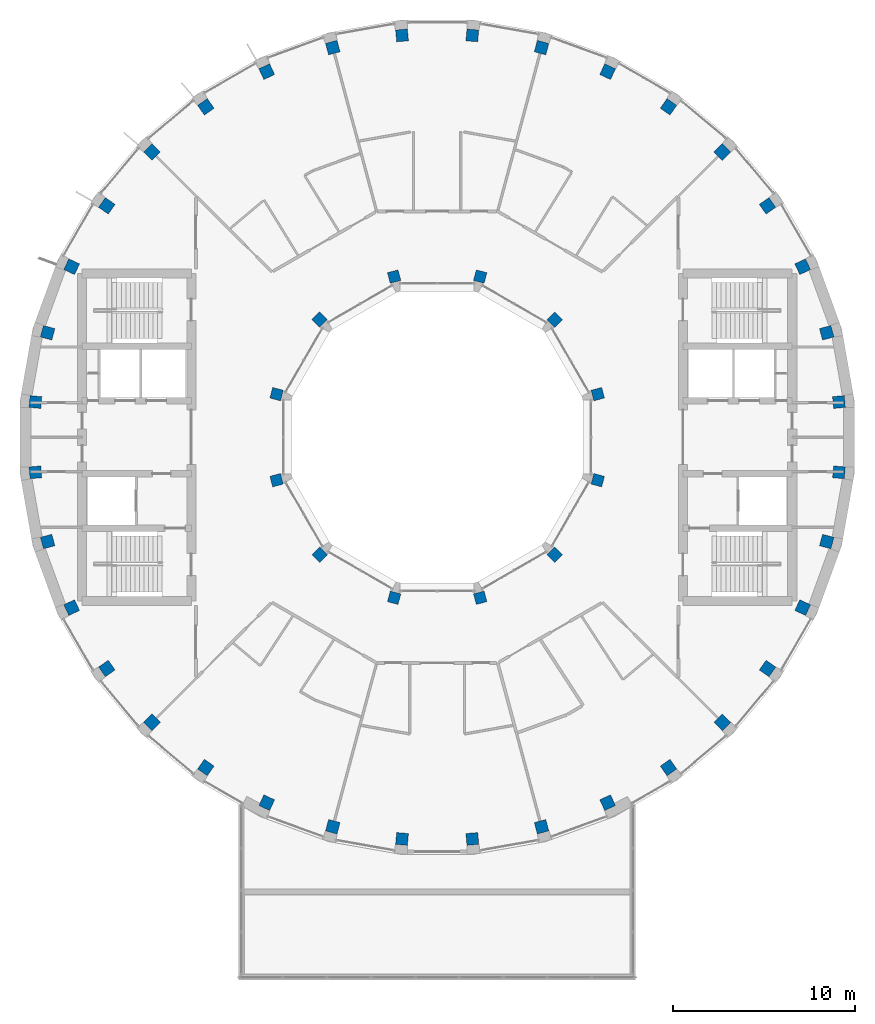
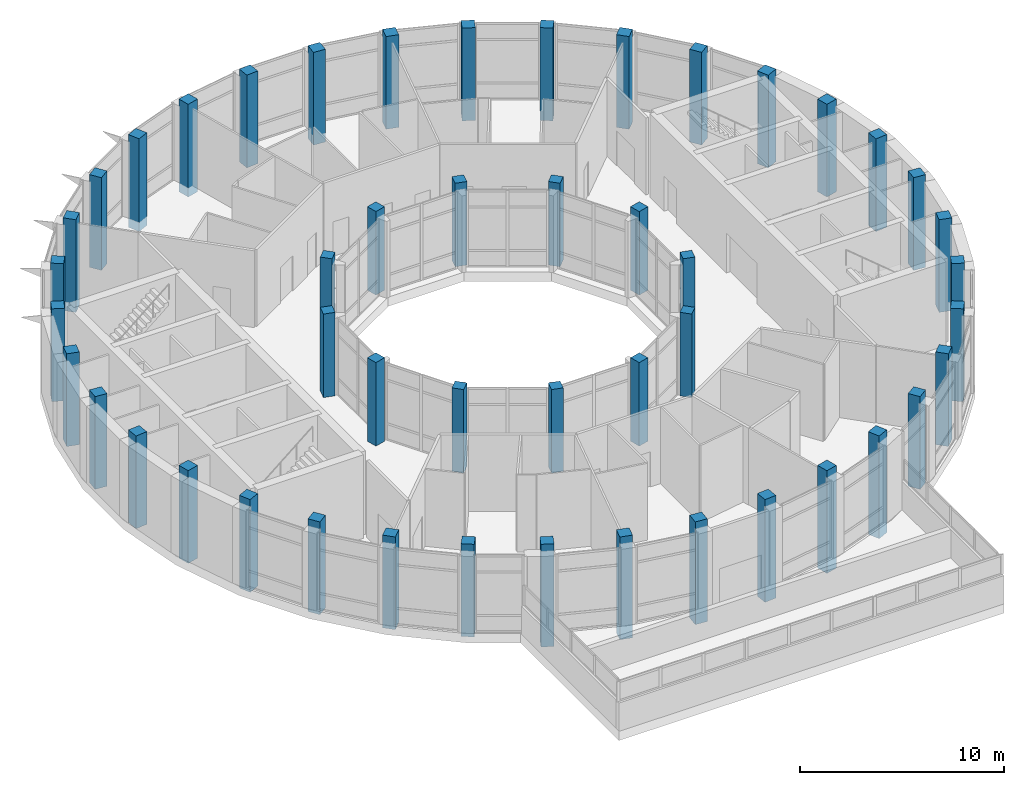
# One storey, part 1 of 19: 48 columns.
"""IFC4 building model written with IfcOpenShell, lengths in metres."""

from ifc_helpers import new_model, si_unit, direction, frame, origin, origin_2d, place, context, subcontext, project, spatial, rectangle, extrude, material, material_profile, profile_set, type_object, element, save


model = new_model("IFC4")

# Units and contexts
model_context = context("Model", 3, precision=1e-05, world=origin(), true_north=direction((0.0, 1.0)))
body_context = subcontext(model_context, "Body", "Model", "MODEL_VIEW")
ifc_project = project(units=[si_unit("LENGTHUNIT", "METRE"), si_unit("AREAUNIT", "SQUARE_METRE"), si_unit("VOLUMEUNIT", "CUBIC_METRE"), si_unit("PLANEANGLEUNIT", "RADIAN"), si_unit("MASSUNIT", "GRAM", prefix="KILO")], contexts=[model_context])

# Site, building, storey
site_placement = place(None, origin())
site = spatial("IfcSite", under=ifc_project, at=site_placement, CompositionType="ELEMENT")
building_placement = place(site_placement, origin())
building = spatial("IfcBuilding", under=site, at=building_placement, Name="Saqina Gate Tower", CompositionType="ELEMENT")
storey_placement = place(building_placement, frame((0.0, 0.0, 224.699951171875)))
storey = spatial("IfcBuildingStorey", under=building, at=storey_placement, Name="L64", CompositionType="ELEMENT", Elevation=224.699951171875)

# Columns
ifc_material_1 = material(Name="Concrete C60/75", Category="concrete")
ifc_material_profile_1 = material_profile(ifc_material_1, rectangle(XDim=0.60009765625, YDim=0.60009765625, at=origin_2d()), Name="RC 600x600")
ifc_profile_set_1 = profile_set([ifc_material_profile_1], Name="Concrete C60/75")
column_type_1 = type_object("IfcColumnType", Name="STR-COL-IN-D", PredefinedType="COLUMN", material=ifc_profile_set_1)
for number, where, z_axis, x_axis, name in (
    (1, (8.821044921875, 2.363525390625, 0.0), (0.0, 0.0, 1.0), (0.965925826289, 0.258819045103, 0.0), "L64-ICL01"),
    (2, (6.45751953125, 6.45751953125, 0.0), (0.0, 0.0, 1.0), (0.707106781187, 0.707106781187, 0.0), "L64-ICL02"),
    (3, (2.363525390625, 8.821044921875, 0.0), (0.0, 0.0, 1.0), (0.258819045103, 0.965925826289, 0.0), "L64-ICL03"),
    (4, (-2.363525390625, 8.821044921875, 0.0), (0.0, 0.0, 1.0), (-0.258819045103, 0.965925826289, 0.0), "L64-ICL04"),
    (5, (-6.45751953125, 6.45751953125, 0.0), (0.0, 0.0, 1.0), (-0.707106781187, 0.707106781187, 0.0), "L64-ICL05"),
    (6, (-8.821044921875, 2.363525390625, 0.0), (0.0, 0.0, 1.0), (-0.965925826289, 0.258819045103, 0.0), "L64-ICL06"),
    (7, (-8.821044921875, -2.363525390625, 0.0), (0.0, 0.0, 1.0), (-0.965925826289, -0.258819045103, 0.0), "L64-ICL07"),
    (8, (-6.45751953125, -6.45751953125, 0.0), (0.0, 0.0, 1.0), (-0.707106781187, -0.707106781187, 0.0), "L64-ICL08"),
    (9, (-2.363525390625, -8.821044921875, 0.0), (0.0, 0.0, 1.0), (-0.258819045103, -0.965925826289, 0.0), "L64-ICL09"),
    (10, (2.363525390625, -8.821044921875, 0.0), (0.0, 0.0, 1.0), (0.258819045103, -0.965925826289, 0.0), "L64-ICL10"),
    (11, (6.45751953125, -6.45751953125, 0.0), (0.0, 0.0, 1.0), (0.707106781187, -0.707106781187, 0.0), "L64-ICL11"),
    (12, (8.821044921875, -2.363525390625, 0.0), (0.0, 0.0, 1.0), (0.965925826289, -0.258819045103, 0.0), "L64-ICL12"),
):
    element("IfcColumn", number, at=place(storey_placement, frame(where, z_axis=z_axis, x_axis=x_axis)), inside=storey, type_object=column_type_1, Name=name, PredefinedType="COLUMN", context=body_context, shape_type="SweptSolid", body=[
        extrude(rectangle(XDim=0.60009765625, YDim=0.60009765625, at=origin_2d()), origin(), (0.0, 0.0, 1.0), 5.0),
    ])
ifc_material_2 = material(Name="Concrete C60/75", Category="concrete")
ifc_material_profile_2 = material_profile(ifc_material_2, rectangle(XDim=0.64990234375, YDim=0.64990234375, at=origin_2d()), Name="RC 650x650")
ifc_profile_set_2 = profile_set([ifc_material_profile_2], Name="Concrete C60/75")
column_type_2 = type_object("IfcColumnType", Name="STR-COL-OUT-D", PredefinedType="COLUMN", material=ifc_profile_set_2)
for number, where, z_axis, x_axis, name in (
    (13, (22.065673828125, 1.930419921875, -0.550048828125), (0.0, 0.0, 1.0), (0.996194698092, 0.087155742748, 0.0), "L64-COL01"),
    (14, (21.395263671875, 5.73291015625, -0.550048828125), (0.0, 0.0, 1.0), (0.965925826289, 0.258819045103, 0.0), "L64-COL02"),
    (15, (20.07470703125, 9.361083984375, -0.550048828125), (0.0, 0.0, 1.0), (0.906307787037, 0.422618261741, 0.0), "L64-COL03"),
    (16, (18.144287109375, 12.704833984375, -0.550048828125), (0.0, 0.0, 1.0), (0.819152044289, 0.573576436351, 0.0), "L64-COL04"),
    (17, (15.662353515625, 15.662353515625, -0.550048828125), (0.0, 0.0, 1.0), (0.707106781187, 0.707106781187, 0.0), "L64-COL05"),
    (18, (12.704833984375, 18.144287109375, -0.550048828125), (0.0, 0.0, 1.0), (0.573576436351, 0.819152044289, 0.0), "L64-COL06"),
    (19, (9.361083984375, 20.07470703125, -0.550048828125), (0.0, 0.0, 1.0), (0.422618261741, 0.906307787037, 0.0), "L64-COL07"),
    (20, (5.73291015625, 21.395263671875, -0.550048828125), (0.0, 0.0, 1.0), (0.258819045103, 0.965925826289, 0.0), "L64-COL08"),
    (21, (1.930419921875, 22.065673828125, -0.550048828125), (0.0, 0.0, 1.0), (0.087155742748, 0.996194698092, 0.0), "L64-COL09"),
    (22, (-1.930419921875, 22.065673828125, -0.550048828125), (0.0, 0.0, 1.0), (-0.087155742748, 0.996194698092, 0.0), "L64-COL10"),
    (23, (-5.73291015625, 21.395263671875, -0.550048828125), (0.0, 0.0, 1.0), (-0.258819045103, 0.965925826289, 0.0), "L64-COL11"),
    (24, (-9.361083984375, 20.07470703125, -0.550048828125), (0.0, 0.0, 1.0), (-0.422618261741, 0.906307787037, 0.0), "L64-COL12"),
    (25, (-12.704833984375, 18.144287109375, -0.550048828125), (0.0, 0.0, 1.0), (-0.573576436351, 0.819152044289, 0.0), "L64-COL13"),
    (26, (-15.662353515625, 15.662353515625, -0.550048828125), (0.0, 0.0, 1.0), (-0.707106781187, 0.707106781187, 0.0), "L64-COL14"),
    (27, (-18.144287109375, 12.704833984375, -0.550048828125), (0.0, 0.0, 1.0), (-0.819152044289, 0.573576436351, 0.0), "L64-COL15"),
    (28, (-20.07470703125, 9.361083984375, -0.550048828125), (0.0, 0.0, 1.0), (-0.906307787037, 0.422618261741, 0.0), "L64-COL16"),
    (29, (-21.395263671875, 5.73291015625, -0.550048828125), (0.0, 0.0, 1.0), (-0.965925826289, 0.258819045103, 0.0), "L64-COL17"),
    (30, (-22.065673828125, 1.930419921875, -0.550048828125), (0.0, 0.0, 1.0), (-0.996194698092, 0.087155742748, 0.0), "L64-COL18"),
    (31, (-22.065673828125, -1.930419921875, -0.550048828125), (0.0, 0.0, 1.0), (-0.996194698092, -0.087155742748, 0.0), "L64-COL19"),
    (32, (-21.395263671875, -5.73291015625, -0.550048828125), (0.0, 0.0, 1.0), (-0.965925826289, -0.258819045103, 0.0), "L64-COL20"),
    (33, (-20.07470703125, -9.361083984375, -0.550048828125), (0.0, 0.0, 1.0), (-0.906307787037, -0.422618261741, 0.0), "L64-COL21"),
    (34, (-18.144287109375, -12.704833984375, -0.550048828125), (0.0, 0.0, 1.0), (-0.819152044289, -0.573576436351, 0.0), "L64-COL22"),
    (35, (-15.662353515625, -15.662353515625, -0.550048828125), (0.0, 0.0, 1.0), (-0.707106781187, -0.707106781187, 0.0), "L64-COL23"),
    (36, (-12.704833984375, -18.144287109375, -0.550048828125), (0.0, 0.0, 1.0), (-0.573576436351, -0.819152044289, 0.0), "L64-COL24"),
):
    element("IfcColumn", number, at=place(storey_placement, frame(where, z_axis=z_axis, x_axis=x_axis)), inside=storey, type_object=column_type_2, Name=name, PredefinedType="COLUMN", context=body_context, shape_type="SweptSolid", body=[
        extrude(rectangle(XDim=0.64990234375, YDim=0.64990234375, at=origin_2d()), origin(), (0.0, 0.0, 1.0), 5.550048828125),
    ])
for number, where, z_axis, x_axis, name in (
    (37, (-9.361083984375, -20.07470703125, -1.14990234375), (0.0, 0.0, 1.0), (-0.422618261741, -0.906307787037, 0.0), "L64-COL25"),
    (38, (-5.73291015625, -21.395263671875, -1.14990234375), (0.0, 0.0, 1.0), (-0.258819045103, -0.965925826289, 0.0), "L64-COL26"),
    (39, (-1.930419921875, -22.065673828125, -1.14990234375), (0.0, 0.0, 1.0), (-0.087155742748, -0.996194698092, 0.0), "L64-COL27"),
    (40, (1.930419921875, -22.065673828125, -1.14990234375), (0.0, 0.0, 1.0), (0.087155742748, -0.996194698092, 0.0), "L64-COL28"),
    (41, (5.73291015625, -21.395263671875, -1.14990234375), (0.0, 0.0, 1.0), (0.258819045103, -0.965925826289, 0.0), "L64-COL29"),
    (42, (9.361083984375, -20.07470703125, -1.14990234375), (0.0, 0.0, 1.0), (0.422618261741, -0.906307787037, 0.0), "L64-COL30"),
):
    element("IfcColumn", number, at=place(storey_placement, frame(where, z_axis=z_axis, x_axis=x_axis)), inside=storey, type_object=column_type_2, Name=name, PredefinedType="COLUMN", context=body_context, shape_type="SweptSolid", body=[
        extrude(rectangle(XDim=0.64990234375, YDim=0.64990234375, at=origin_2d()), origin(), (0.0, 0.0, 1.0), 6.14990234375),
    ])
for number, where, z_axis, x_axis, name in (
    (43, (12.704833984375, -18.144287109375, -0.550048828125), (0.0, 0.0, 1.0), (0.573576436351, -0.819152044289, 0.0), "L64-COL31"),
    (44, (15.662353515625, -15.662353515625, -0.550048828125), (0.0, 0.0, 1.0), (0.707106781187, -0.707106781187, 0.0), "L64-COL32"),
    (45, (18.144287109375, -12.704833984375, -0.550048828125), (0.0, 0.0, 1.0), (0.819152044289, -0.573576436351, 0.0), "L64-COL33"),
    (46, (20.07470703125, -9.361083984375, -0.550048828125), (0.0, 0.0, 1.0), (0.906307787037, -0.422618261741, 0.0), "L64-COL34"),
    (47, (21.395263671875, -5.73291015625, -0.550048828125), (0.0, 0.0, 1.0), (0.965925826289, -0.258819045103, 0.0), "L64-COL35"),
    (48, (22.065673828125, -1.930419921875, -0.550048828125), (0.0, 0.0, 1.0), (0.996194698092, -0.087155742748, 0.0), "L64-COL36"),
):
    element("IfcColumn", number, at=place(storey_placement, frame(where, z_axis=z_axis, x_axis=x_axis)), inside=storey, type_object=column_type_2, Name=name, PredefinedType="COLUMN", context=body_context, shape_type="SweptSolid", body=[
        extrude(rectangle(XDim=0.64990234375, YDim=0.64990234375, at=origin_2d()), origin(), (0.0, 0.0, 1.0), 5.550048828125),
    ])

save(model, "model.ifc")
